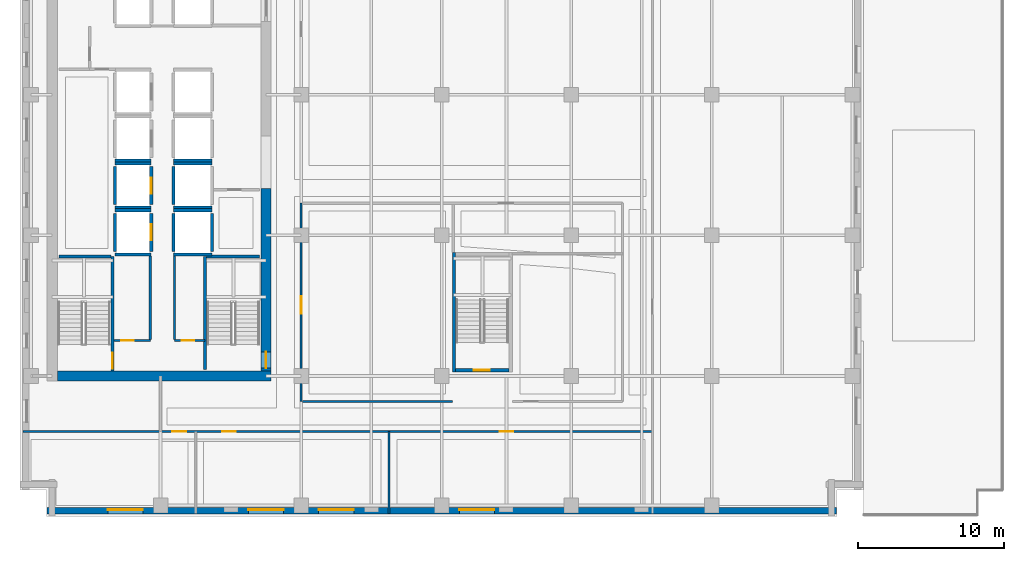
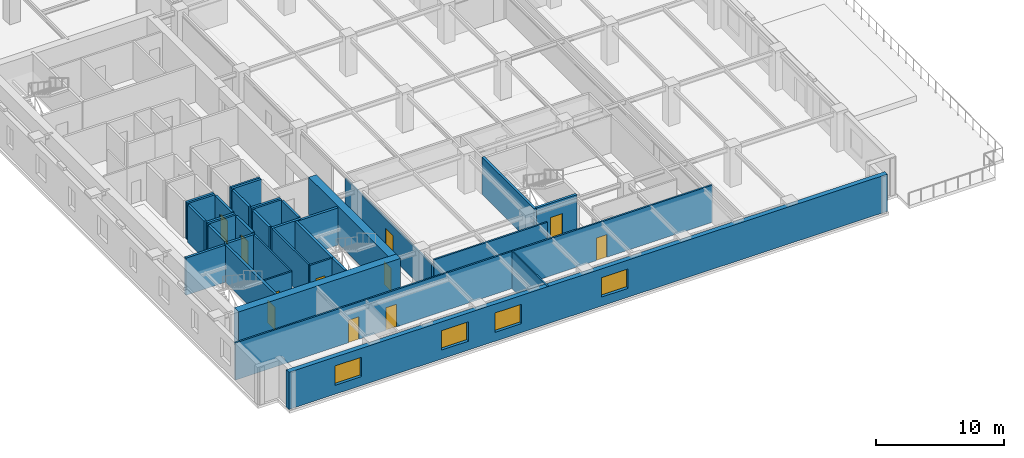
# One storey, part 4 of 12: 34 walls, 11 doors, 4 windows, 15 openings.
"""IFC4 building model written with IfcOpenShell, lengths in metres."""

from ifc_helpers import new_model, si_unit, direction, frame, frame_2d, origin, place, context, subcontext, project, spatial, rectangle, extrude, material, layer, layer_set, type_object, element, fill, save


model = new_model("IFC4")

# Units and contexts
model_context = context("Model", 3, precision=1e-05, world=origin(), true_north=direction((0.0, 1.0)))
body_context = subcontext(model_context, "Body", "Model", "MODEL_VIEW")
ifc_project = project(units=[si_unit("LENGTHUNIT", "METRE"), si_unit("AREAUNIT", "SQUARE_METRE"), si_unit("VOLUMEUNIT", "CUBIC_METRE"), si_unit("PLANEANGLEUNIT", "RADIAN"), si_unit("MASSUNIT", "GRAM", prefix="KILO")], contexts=[model_context])

# Site, building, storey
site_placement = place(None, origin())
site = spatial("IfcSite", under=ifc_project, at=site_placement, CompositionType="ELEMENT")
building_placement = place(site_placement, origin())
building = spatial("IfcBuilding", under=site, at=building_placement, Name="Norrvale University Quadrangle", CompositionType="ELEMENT")
storey_placement = place(building_placement, frame((0.0, 0.0, 101.39990234375)))
storey = spatial("IfcBuildingStorey", under=building, at=storey_placement, Name="L25", CompositionType="ELEMENT", Elevation=101.39990234375)

# Wall, openings, windows
ifc_material_1 = material(Name="Buff Norman Clay Brick Masonry", Category="masonry")
ifc_layer_1 = layer(ifc_material_1, 0.419921875, Name="Buff Norman Clay Brick Masonry")
ifc_layer_set_1 = layer_set([ifc_layer_1], Name="Buff Norman Clay Brick Masonry")
wall_type_1 = type_object("IfcWallType", Name="Wall Buff Brick 420", PredefinedType="SOLIDWALL", material=ifc_layer_set_1)
wall_1_placement = place(storey_placement, frame((1.840087890625, 0.389892578125, 0.0), z_axis=(0.0, 0.0, 1.0), x_axis=(1.0, 0.0, 0.0)))
wall_1 = element("IfcWall", 1, at=wall_1_placement, inside=storey, type_object=wall_type_1, Name="Exterior Brick Facade Wall L25-01.1", PredefinedType="SOLIDWALL", context=body_context, shape_type="SweptSolid", body=[
    extrude(rectangle(XDim=53.919921875, YDim=0.419921875, at=frame_2d((26.9599609375, 0.0))), origin(), (0.0, 0.0, 1.0), 3.5400390625),
])
opening_1_placement = place(wall_1_placement, frame((4.159912109375, 0.0, 0.85009765625)))
opening_1 = element("IfcOpeningElement", 2, at=opening_1_placement, cuts=wall_1, Name="Opening W02", PredefinedType="OPENING", context=body_context, shape_type="SweptSolid", body=[
    extrude(rectangle(XDim=2.39990234375, YDim=1.85009765625, at=frame_2d((1.199951171875, 0.925048828125))), frame((0.0, 0.221923828125, 0.0), z_axis=(0.0, -1.0, 0.0), x_axis=(1.0, 0.0, 0.0)), (0.0, 0.0, 1.0), 0.44384765625),
])
opening_2_placement = place(wall_1_placement, frame((13.760009765625, 0.0, 0.85009765625)))
opening_2 = element("IfcOpeningElement", 3, at=opening_2_placement, cuts=wall_1, Name="Opening W02", PredefinedType="OPENING", context=body_context, shape_type="SweptSolid", body=[
    extrude(rectangle(XDim=2.39990234375, YDim=1.85009765625, at=frame_2d((1.199951171875, 0.925048828125))), frame((0.0, 0.221923828125, 0.0), z_axis=(0.0, -1.0, 0.0), x_axis=(1.0, 0.0, 0.0)), (0.0, 0.0, 1.0), 0.44384765625),
])
opening_3_placement = place(wall_1_placement, frame((18.56005859375, 0.0, 0.85009765625)))
opening_3 = element("IfcOpeningElement", 4, at=opening_3_placement, cuts=wall_1, Name="Opening W02", PredefinedType="OPENING", context=body_context, shape_type="SweptSolid", body=[
    extrude(rectangle(XDim=2.39990234375, YDim=1.85009765625, at=frame_2d((1.199951171875, 0.925048828125))), frame((0.0, 0.221923828125, 0.0), z_axis=(0.0, -1.0, 0.0), x_axis=(1.0, 0.0, 0.0)), (0.0, 0.0, 1.0), 0.44384765625),
])
opening_4_placement = place(wall_1_placement, frame((28.159912109375, 0.0, 0.85009765625)))
opening_4 = element("IfcOpeningElement", 5, at=opening_4_placement, cuts=wall_1, Name="Opening W02", PredefinedType="OPENING", context=body_context, shape_type="SweptSolid", body=[
    extrude(rectangle(XDim=2.39990234375, YDim=1.85009765625, at=frame_2d((1.199951171875, 0.925048828125))), frame((0.0, 0.221923828125, 0.0), z_axis=(0.0, -1.0, 0.0), x_axis=(1.0, 0.0, 0.0)), (0.0, 0.0, 1.0), 0.44384765625),
])
ifc_material_2 = material(Name="Triple Low-E Argon Glazing", Category="glass")
window_type = type_object("IfcWindowType", Name="Window Academic 2400x2300", PartitioningType="TRIPLE_PANEL_VERTICAL", PredefinedType="WINDOW", material=ifc_material_2)
window_1_placement = place(opening_1_placement, origin())
window_1 = element("IfcWindow", 6, at=window_1_placement, inside=storey, type_object=window_type, Name="Window Academic 2400x2300 WIN-L25-E01-1-01", OverallHeight=1.85009765625, OverallWidth=2.39990234375, PartitioningType="TRIPLE_PANEL_VERTICAL", PredefinedType="WINDOW", context=body_context, shape_type="SweptSolid", body=[
    extrude(rectangle(XDim=2.39990234375, YDim=1.85009765625, at=frame_2d((1.199951171875, 0.925048828125))), frame((0.0, 0.110107421875, 0.0), z_axis=(0.0, -1.0, 0.0), x_axis=(1.0, 0.0, 0.0)), (0.0, 0.0, 1.0), 0.06005859375),
])
fill(opening_1, window_1)
window_2_placement = place(opening_2_placement, origin())
window_2 = element("IfcWindow", 7, at=window_2_placement, inside=storey, type_object=window_type, Name="Window Academic 2400x2300 WIN-L25-E01-1-02", OverallHeight=1.85009765625, OverallWidth=2.39990234375, PartitioningType="TRIPLE_PANEL_VERTICAL", PredefinedType="WINDOW", context=body_context, shape_type="SweptSolid", body=[
    extrude(rectangle(XDim=2.39990234375, YDim=1.85009765625, at=frame_2d((1.199951171875, 0.925048828125))), frame((0.0, 0.110107421875, 0.0), z_axis=(0.0, -1.0, 0.0), x_axis=(1.0, 0.0, 0.0)), (0.0, 0.0, 1.0), 0.06005859375),
])
fill(opening_2, window_2)
window_3_placement = place(opening_3_placement, origin())
window_3 = element("IfcWindow", 8, at=window_3_placement, inside=storey, type_object=window_type, Name="Window Academic 2400x2300 WIN-L25-E01-1-03", OverallHeight=1.85009765625, OverallWidth=2.39990234375, PartitioningType="TRIPLE_PANEL_VERTICAL", PredefinedType="WINDOW", context=body_context, shape_type="SweptSolid", body=[
    extrude(rectangle(XDim=2.39990234375, YDim=1.85009765625, at=frame_2d((1.199951171875, 0.925048828125))), frame((0.0, 0.110107421875, 0.0), z_axis=(0.0, -1.0, 0.0), x_axis=(1.0, 0.0, 0.0)), (0.0, 0.0, 1.0), 0.06005859375),
])
fill(opening_3, window_3)
window_4_placement = place(opening_4_placement, origin())
window_4 = element("IfcWindow", 9, at=window_4_placement, inside=storey, type_object=window_type, Name="Window Academic 2400x2300 WIN-L25-E01-1-04", OverallHeight=1.85009765625, OverallWidth=2.39990234375, PartitioningType="TRIPLE_PANEL_VERTICAL", PredefinedType="WINDOW", context=body_context, shape_type="SweptSolid", body=[
    extrude(rectangle(XDim=2.39990234375, YDim=1.85009765625, at=frame_2d((1.199951171875, 0.925048828125))), frame((0.0, 0.110107421875, 0.0), z_axis=(0.0, -1.0, 0.0), x_axis=(1.0, 0.0, 0.0)), (0.0, 0.0, 1.0), 0.06005859375),
])
fill(opening_4, window_4)

# Wall
ifc_material_3 = material(Name="Concrete C60/75", Category="concrete")
ifc_layer_2 = layer(ifc_material_3, 0.699951171875, Name="Concrete C60/75")
ifc_layer_set_2 = layer_set([ifc_layer_2], Name="Concrete C60/75")
wall_type_2 = type_object("IfcWallType", Name="Wall Core 700", PredefinedType="SHEAR", material=ifc_layer_set_2)
wall_2_placement = place(storey_placement, frame((2.550048828125, 9.60009765625, 0.0), z_axis=(0.0, 0.0, 1.0), x_axis=(1.0, 0.0, 0.0)))
element("IfcWall", 10, at=wall_2_placement, inside=storey, type_object=wall_type_2, Name="Tower Core Shear Wall L25-S", PredefinedType="SHEAR", context=body_context, shape_type="SweptSolid", body=[
    extrude(rectangle(XDim=14.599853515625, YDim=0.699951171875, at=frame_2d((7.2998046875, 0.0))), origin(), (0.0, 0.0, 1.0), 3.5400390625),
])

# Wall, opening, door
wall_3_placement = place(storey_placement, frame((16.800048828125, 9.949951171875, 0.0), z_axis=(0.0, 0.0, 1.0), x_axis=(0.0, 1.0, 0.0)))
wall_3 = element("IfcWall", 11, at=wall_3_placement, inside=storey, type_object=wall_type_2, Name="Tower Core Shear Wall L25-E1", PredefinedType="SHEAR", context=body_context, shape_type="SweptSolid", body=[
    extrude(rectangle(XDim=12.449951171875, YDim=0.699951171875, at=frame_2d((6.22509765625, 0.0))), origin(), (0.0, 0.0, 1.0), 3.5400390625),
])
opening_5_placement = place(wall_3_placement, frame((0.18994140625, 0.0, 0.0)))
opening_5 = element("IfcOpeningElement", 12, at=opening_5_placement, cuts=wall_3, Name="Opening D02", PredefinedType="OPENING", context=body_context, shape_type="SweptSolid", body=[
    extrude(rectangle(XDim=1.10009765625, YDim=2.199951171875, at=frame_2d((0.550048828125, 1.10009765625))), frame((0.0, 0.362060546875, 0.0), z_axis=(0.0, -1.0, 0.0), x_axis=(1.0, 0.0, 0.0)), (0.0, 0.0, 1.0), 0.723876953125),
])
ifc_material_4 = material(Name="Hollow Steel 350W Fire Door", Category="steel")
door_type_1 = type_object("IfcDoorType", Name="Door Stair Exit 1100x2200", OperationType="NOTDEFINED", PredefinedType="DOOR", material=ifc_material_4)
door_1_placement = place(opening_5_placement, origin())
door_1 = element("IfcDoor", 13, at=door_1_placement, inside=storey, type_object=door_type_1, Name="Door Stair Exit 1100x2200 DR-L25-ST03", OperationType="SINGLE_SWING_LEFT", OverallHeight=2.199951171875, OverallWidth=1.10009765625, PredefinedType="DOOR", context=body_context, shape_type="SweptSolid", body=[
    extrude(rectangle(XDim=1.10009765625, YDim=2.199951171875, at=frame_2d((0.550048828125, 1.10009765625))), frame((0.0, 0.02490234375, 0.0), z_axis=(0.0, -1.0, 0.0), x_axis=(1.0, 0.0, 0.0)), (0.0, 0.0, 1.0), 0.050048828125),
])
fill(opening_5, door_1)

# Wall
ifc_material_5 = material(Name="Standard Academic Gypsum Partition")
ifc_layer_3 = layer(ifc_material_5, 0.125, Name="Standard Academic Gypsum Partition")
ifc_layer_set_3 = layer_set([ifc_layer_3], Name="Standard Academic Gypsum Partition")
wall_type_3 = type_object("IfcWallType", Name="Wall Gypsum Academic 125", PredefinedType="PARTITIONING", material=ifc_layer_set_3)
wall_4_placement = place(storey_placement, frame((25.199951171875, 0.219970703125, 0.0), z_axis=(0.0, 0.0, 1.0), x_axis=(0.0, 1.0, 0.0)))
element("IfcWall", 14, at=wall_4_placement, inside=storey, type_object=wall_type_3, Name="Interior Partition WL-L25-SP02", PredefinedType="PARTITIONING", context=body_context, shape_type="SweptSolid", body=[
    extrude(rectangle(XDim=5.580078125, YDim=0.125, at=frame_2d((2.7900390625, 0.0))), origin(), (0.0, 0.0, 1.0), 3.5400390625),
])

# Wall, opening, door
ifc_material_6 = material(Name="Fire-Rated Gypsum Stud Partition")
ifc_layer_4 = layer(ifc_material_6, 0.14990234375, Name="Fire-Rated Gypsum Stud Partition")
ifc_layer_set_4 = layer_set([ifc_layer_4], Name="Fire-Rated Gypsum Stud Partition")
wall_type_4 = type_object("IfcWallType", Name="Wall Gypsum Corridor 150", PredefinedType="PARTITIONING", material=ifc_layer_set_4)
wall_5_placement = place(storey_placement, frame((6.419921875, 12.02001953125, 0.0), z_axis=(0.0, 0.0, 1.0), x_axis=(1.0, 0.0, 0.0)))
wall_5 = element("IfcWall", 15, at=wall_5_placement, inside=storey, type_object=wall_type_4, Name="Interior Partition WL-L25-SC-NL", PredefinedType="PARTITIONING", context=body_context, shape_type="SweptSolid", body=[
    extrude(rectangle(XDim=2.47998046875, YDim=0.14990234375, at=frame_2d((1.239990234375, 0.0))), origin(), (0.0, 0.0, 1.0), 3.5400390625),
])
opening_6_placement = place(wall_5_placement, frame((0.5, 0.0, 0.0)))
opening_6 = element("IfcOpeningElement", 16, at=opening_6_placement, cuts=wall_5, Name="Opening D10", PredefinedType="OPENING", context=body_context, shape_type="SweptSolid", body=[
    extrude(rectangle(XDim=0.85009765625, YDim=2.10009765625, at=frame_2d((0.425048828125, 1.050048828125))), frame((0.0, 0.0869140625, 0.0), z_axis=(0.0, -1.0, 0.0), x_axis=(1.0, 0.0, 0.0)), (0.0, 0.0, 1.0), 0.173828125),
])
ifc_material_7 = material(Name="Hollow Steel 350W Riser Fire Door", Category="steel")
door_type_2 = type_object("IfcDoorType", Name="Door Riser 850x2100", OperationType="NOTDEFINED", PredefinedType="DOOR", material=ifc_material_7)
door_2_placement = place(opening_6_placement, origin())
door_2 = element("IfcDoor", 17, at=door_2_placement, inside=storey, type_object=door_type_2, Name="Door Riser 850x2100 DR-L25-ELEC", OperationType="SINGLE_SWING_LEFT", OverallHeight=2.10009765625, OverallWidth=0.85009765625, PredefinedType="DOOR", context=body_context, shape_type="SweptSolid", body=[
    extrude(rectangle(XDim=0.85009765625, YDim=2.10009765625, at=frame_2d((0.425048828125, 1.050048828125))), frame((0.0, 0.02490234375, 0.0), z_axis=(0.0, -1.0, 0.0), x_axis=(1.0, 0.0, 0.0)), (0.0, 0.0, 1.0), 0.050048828125),
])
fill(opening_6, door_2)

wall_6_placement = place(storey_placement, frame((10.550048828125, 12.02001953125, 0.0), z_axis=(0.0, 0.0, 1.0), x_axis=(1.0, 0.0, 0.0)))
wall_6 = element("IfcWall", 18, at=wall_6_placement, inside=storey, type_object=wall_type_4, Name="Interior Partition WL-L25-SC-NR", PredefinedType="PARTITIONING", context=body_context, shape_type="SweptSolid", body=[
    extrude(rectangle(XDim=2.079833984375, YDim=0.14990234375, at=frame_2d((1.0400390625, 0.0))), origin(), (0.0, 0.0, 1.0), 3.5400390625),
])
opening_7_placement = place(wall_6_placement, frame((0.5, 0.0, 0.0)))
opening_7 = element("IfcOpeningElement", 19, at=opening_7_placement, cuts=wall_6, Name="Opening D10", PredefinedType="OPENING", context=body_context, shape_type="SweptSolid", body=[
    extrude(rectangle(XDim=0.85009765625, YDim=2.10009765625, at=frame_2d((0.425048828125, 1.050048828125))), frame((0.0, 0.0869140625, 0.0), z_axis=(0.0, -1.0, 0.0), x_axis=(1.0, 0.0, 0.0)), (0.0, 0.0, 1.0), 0.173828125),
])
door_3_placement = place(opening_7_placement, origin())
door_3 = element("IfcDoor", 20, at=door_3_placement, inside=storey, type_object=door_type_2, Name="Door Riser 850x2100 DR-L25-IDF", OperationType="SINGLE_SWING_RIGHT", OverallHeight=2.10009765625, OverallWidth=0.85009765625, PredefinedType="DOOR", context=body_context, shape_type="SweptSolid", body=[
    extrude(rectangle(XDim=0.85009765625, YDim=2.10009765625, at=frame_2d((0.425048828125, 1.050048828125))), frame((0.0, 0.02490234375, 0.0), z_axis=(0.0, -1.0, 0.0), x_axis=(1.0, 0.0, 0.0)), (0.0, 0.0, 1.0), 0.050048828125),
])
fill(opening_7, door_3)

# Walls
for number, where, z_axis, x_axis, name in (
    (21, (8.89990234375, 12.094970703125, 0.0), (0.0, 0.0, 1.0), (0.0, 1.0, 0.0), "Interior Partition WL-L25-SC-WL"),
    (22, (10.550048828125, 12.094970703125, 0.0), (0.0, 0.0, 1.0), (0.0, 1.0, 0.0), "Interior Partition WL-L25-SC-WR"),
):
    element("IfcWall", number, at=place(storey_placement, frame(where, z_axis=z_axis, x_axis=x_axis)), inside=storey, type_object=wall_type_4, Name=name, PredefinedType="PARTITIONING", context=body_context, shape_type="SweptSolid", body=[
        extrude(rectangle(XDim=5.679931640625, YDim=0.14990234375, at=frame_2d((2.83984375, 0.0))), origin(), (0.0, 0.0, 1.0), 3.5400390625),
    ])

# Wall, openings, doors
wall_7_placement = place(storey_placement, frame((0.219970703125, 5.800048828125, 0.0), z_axis=(0.0, 0.0, 1.0), x_axis=(1.0, 0.0, 0.0)))
wall_7 = element("IfcWall", 23, at=wall_7_placement, inside=storey, type_object=wall_type_4, Name="Interior Partition WL-L25-SCW", PredefinedType="PARTITIONING", context=body_context, shape_type="SweptSolid", body=[
    extrude(rectangle(XDim=42.97998046875, YDim=0.14990234375, at=frame_2d((21.489990234375, 0.0))), origin(), (0.0, 0.0, 1.0), 3.5400390625),
])
opening_8_placement = place(wall_7_placement, frame((10.179931640625, 0.0, 0.0)))
opening_8 = element("IfcOpeningElement", 24, at=opening_8_placement, cuts=wall_7, Name="Opening D07", PredefinedType="OPENING", context=body_context, shape_type="SweptSolid", body=[
    extrude(rectangle(XDim=0.949951171875, YDim=2.14990234375, at=frame_2d((0.47509765625, 1.074951171875))), frame((0.0, 0.0869140625, 0.0), z_axis=(0.0, -1.0, 0.0), x_axis=(1.0, 0.0, 0.0)), (0.0, 0.0, 1.0), 0.173828125),
])
opening_9_placement = place(wall_7_placement, frame((13.580078125, 0.0, 0.0)))
opening_9 = element("IfcOpeningElement", 25, at=opening_9_placement, cuts=wall_7, Name="Opening D07", PredefinedType="OPENING", context=body_context, shape_type="SweptSolid", body=[
    extrude(rectangle(XDim=0.949951171875, YDim=2.14990234375, at=frame_2d((0.47509765625, 1.074951171875))), frame((0.0, 0.0869140625, 0.0), z_axis=(0.0, -1.0, 0.0), x_axis=(1.0, 0.0, 0.0)), (0.0, 0.0, 1.0), 0.173828125),
])
opening_10_placement = place(wall_7_placement, frame((32.530029296875, 0.0, 0.0)))
opening_10 = element("IfcOpeningElement", 26, at=opening_10_placement, cuts=wall_7, Name="Opening D07", PredefinedType="OPENING", context=body_context, shape_type="SweptSolid", body=[
    extrude(rectangle(XDim=0.949951171875, YDim=2.14990234375, at=frame_2d((0.47509765625, 1.074951171875))), frame((0.0, 0.0869140625, 0.0), z_axis=(0.0, -1.0, 0.0), x_axis=(1.0, 0.0, 0.0)), (0.0, 0.0, 1.0), 0.173828125),
])
ifc_material_8 = material(Name="Solid-Core Maple Door", Category="wood")
door_type_3 = type_object("IfcDoorType", Name="Door Office 950x2150", OperationType="NOTDEFINED", PredefinedType="DOOR", material=ifc_material_8)
door_4_placement = place(opening_8_placement, origin())
door_4 = element("IfcDoor", 27, at=door_4_placement, inside=storey, type_object=door_type_3, Name="Door Office 950x2150 DR-L25-S01", OperationType="SINGLE_SWING_LEFT", OverallHeight=2.14990234375, OverallWidth=0.949951171875, PredefinedType="DOOR", context=body_context, shape_type="SweptSolid", body=[
    extrude(rectangle(XDim=0.949951171875, YDim=2.14990234375, at=frame_2d((0.47509765625, 1.074951171875))), frame((0.0, 0.02490234375, 0.0), z_axis=(0.0, -1.0, 0.0), x_axis=(1.0, 0.0, 0.0)), (0.0, 0.0, 1.0), 0.050048828125),
])
fill(opening_8, door_4)
door_5_placement = place(opening_9_placement, origin())
door_5 = element("IfcDoor", 28, at=door_5_placement, inside=storey, type_object=door_type_3, Name="Door Office 950x2150 DR-L25-S02", OperationType="SINGLE_SWING_RIGHT", OverallHeight=2.14990234375, OverallWidth=0.949951171875, PredefinedType="DOOR", context=body_context, shape_type="SweptSolid", body=[
    extrude(rectangle(XDim=0.949951171875, YDim=2.14990234375, at=frame_2d((0.47509765625, 1.074951171875))), frame((0.0, 0.02490234375, 0.0), z_axis=(0.0, -1.0, 0.0), x_axis=(1.0, 0.0, 0.0)), (0.0, 0.0, 1.0), 0.050048828125),
])
fill(opening_9, door_5)
door_6_placement = place(opening_10_placement, origin())
door_6 = element("IfcDoor", 29, at=door_6_placement, inside=storey, type_object=door_type_3, Name="Door Office 950x2150 DR-L25-S03", OperationType="SINGLE_SWING_LEFT", OverallHeight=2.14990234375, OverallWidth=0.949951171875, PredefinedType="DOOR", context=body_context, shape_type="SweptSolid", body=[
    extrude(rectangle(XDim=0.949951171875, YDim=2.14990234375, at=frame_2d((0.47509765625, 1.074951171875))), frame((0.0, 0.02490234375, 0.0), z_axis=(0.0, -1.0, 0.0), x_axis=(1.0, 0.0, 0.0)), (0.0, 0.0, 1.0), 0.050048828125),
])
fill(opening_10, door_6)

# Wall, opening, door
wall_8_placement = place(storey_placement, frame((19.199951171875, 7.85009765625, 0.0), z_axis=(0.0, 0.0, 1.0), x_axis=(0.0, 1.0, 0.0)))
wall_8 = element("IfcWall", 30, at=wall_8_placement, inside=storey, type_object=wall_type_4, Name="Interior Partition WL-L25-ISLW", PredefinedType="PARTITIONING", context=body_context, shape_type="SweptSolid", body=[
    extrude(rectangle(XDim=13.5498046875, YDim=0.14990234375, at=frame_2d((6.77490234375, 0.0))), origin(), (0.0, 0.0, 1.0), 3.123046875),
])
opening_11_placement = place(wall_8_placement, frame((6.0, 0.0, 0.0)))
opening_11 = element("IfcOpeningElement", 31, at=opening_11_placement, cuts=wall_8, Name="Opening D05", PredefinedType="OPENING", context=body_context, shape_type="SweptSolid", body=[
    extrude(rectangle(XDim=1.199951171875, YDim=2.199951171875, at=frame_2d((0.60009765625, 1.10009765625))), frame((0.0, 0.0869140625, 0.0), z_axis=(0.0, -1.0, 0.0), x_axis=(1.0, 0.0, 0.0)), (0.0, 0.0, 1.0), 0.173828125),
])
ifc_material_9 = material(Name="Acoustic Oak Classroom Door", Category="wood")
door_type_4 = type_object("IfcDoorType", Name="Door Classroom 1200x2200", OperationType="NOTDEFINED", PredefinedType="DOOR", material=ifc_material_9)
door_7_placement = place(opening_11_placement, origin())
door_7 = element("IfcDoor", 32, at=door_7_placement, inside=storey, type_object=door_type_4, Name="Door Classroom 1200x2200 DR-L25-IW1", OperationType="SINGLE_SWING_LEFT", OverallHeight=2.199951171875, OverallWidth=1.199951171875, PredefinedType="DOOR", context=body_context, shape_type="SweptSolid", body=[
    extrude(rectangle(XDim=1.199951171875, YDim=2.199951171875, at=frame_2d((0.60009765625, 1.10009765625))), frame((0.0, 0.02490234375, 0.0), z_axis=(0.0, -1.0, 0.0), x_axis=(1.0, 0.0, 0.0)), (0.0, 0.0, 1.0), 0.050048828125),
])
fill(opening_11, door_7)

# Wall
wall_9_placement = place(storey_placement, frame((19.280029296875, 7.85009765625, 0.0), z_axis=(0.0, 0.0, 1.0), x_axis=(1.0, 0.0, 0.0)))
element("IfcWall", 33, at=wall_9_placement, inside=storey, type_object=wall_type_4, Name="Interior Partition WL-L25-ISLS1", PredefinedType="PARTITIONING", context=body_context, shape_type="SweptSolid", body=[
    extrude(rectangle(XDim=10.244873046875, YDim=0.14990234375, at=frame_2d((5.12255859375, 0.0))), origin(), (0.0, 0.0, 1.0), 3.5400390625),
])

# Wall, opening, door
ifc_material_10 = material(Name="Concrete Blockwork 20 MPa Fire Shaft", Category="masonry")
ifc_layer_5 = layer(ifc_material_10, 0.219970703125, Name="Concrete Blockwork 20 MPa Fire Shaft")
ifc_layer_set_5 = layer_set([ifc_layer_5], Name="Concrete Blockwork 20 MPa Fire Shaft")
wall_type_5 = type_object("IfcWallType", Name="Wall Shaft 220", PredefinedType="SOLIDWALL", material=ifc_layer_set_5)
wall_10_placement = place(storey_placement, frame((6.31005859375, 9.949951171875, 0.0), z_axis=(0.0, 0.0, 1.0), x_axis=(0.0, 1.0, 0.0)))
wall_10 = element("IfcWall", 34, at=wall_10_placement, inside=storey, type_object=wall_type_5, Name="Stair ST-01 East Shaft Wall L25", PredefinedType="SOLIDWALL", context=body_context, shape_type="SweptSolid", body=[
    extrude(rectangle(XDim=7.81005859375, YDim=0.219970703125, at=frame_2d((3.905029296875, 0.0))), origin(), (0.0, 0.0, 1.0), 3.5400390625),
])
opening_12_placement = place(wall_10_placement, frame((0.139892578125, 0.0, 0.0)))
opening_12 = element("IfcOpeningElement", 35, at=opening_12_placement, cuts=wall_10, Name="Opening D02", PredefinedType="OPENING", context=body_context, shape_type="SweptSolid", body=[
    extrude(rectangle(XDim=1.10009765625, YDim=2.199951171875, at=frame_2d((0.550048828125, 1.10009765625))), frame((0.0, 0.1220703125, 0.0), z_axis=(0.0, -1.0, 0.0), x_axis=(1.0, 0.0, 0.0)), (0.0, 0.0, 1.0), 0.243896484375),
])
door_8_placement = place(opening_12_placement, origin())
door_8 = element("IfcDoor", 36, at=door_8_placement, inside=storey, type_object=door_type_1, Name="Door Stair Exit 1100x2200 DR-L25-ST01", OperationType="SINGLE_SWING_LEFT", OverallHeight=2.199951171875, OverallWidth=1.10009765625, PredefinedType="DOOR", context=body_context, shape_type="SweptSolid", body=[
    extrude(rectangle(XDim=1.10009765625, YDim=2.199951171875, at=frame_2d((0.550048828125, 1.10009765625))), frame((0.0, 0.02490234375, 0.0), z_axis=(0.0, -1.0, 0.0), x_axis=(1.0, 0.0, 0.0)), (0.0, 0.0, 1.0), 0.050048828125),
])
fill(opening_12, door_8)

# Walls
wall_11_placement = place(storey_placement, frame((2.64990234375, 17.760009765625, 0.0), z_axis=(0.0, 0.0, 1.0), x_axis=(1.0, 0.0, 0.0)))
element("IfcWall", 37, at=wall_11_placement, inside=storey, type_object=wall_type_5, Name="Stair ST-01 North Shaft Wall L25", PredefinedType="SOLIDWALL", context=body_context, shape_type="SweptSolid", body=[
    extrude(rectangle(XDim=3.550048828125, YDim=0.219970703125, at=frame_2d((1.77490234375, 0.0))), origin(), (0.0, 0.0, 1.0), 3.5400390625),
])
wall_12_placement = place(storey_placement, frame((12.639892578125, 10.050048828125, 0.0), z_axis=(0.0, 0.0, 1.0), x_axis=(0.0, 1.0, 0.0)))
element("IfcWall", 38, at=wall_12_placement, inside=storey, type_object=wall_type_5, Name="Stair ST-03 West Shaft Wall L25", PredefinedType="SOLIDWALL", context=body_context, shape_type="SweptSolid", body=[
    extrude(rectangle(XDim=7.7099609375, YDim=0.219970703125, at=frame_2d((3.85498046875, 0.0))), origin(), (0.0, 0.0, 1.0), 3.5400390625),
])
wall_13_placement = place(storey_placement, frame((12.75, 17.760009765625, 0.0), z_axis=(0.0, 0.0, 1.0), x_axis=(1.0, 0.0, 0.0)))
element("IfcWall", 39, at=wall_13_placement, inside=storey, type_object=wall_type_5, Name="Stair ST-03 North Shaft Wall L25", PredefinedType="SOLIDWALL", context=body_context, shape_type="SweptSolid", body=[
    extrude(rectangle(XDim=3.60009765625, YDim=0.219970703125, at=frame_2d((1.800048828125, 0.0))), origin(), (0.0, 0.0, 1.0), 3.5400390625),
])

# Wall, opening, door
wall_14_placement = place(storey_placement, frame((29.75, 9.989990234375, 0.0), z_axis=(0.0, 0.0, 1.0), x_axis=(1.0, 0.0, 0.0)))
wall_14 = element("IfcWall", 40, at=wall_14_placement, inside=storey, type_object=wall_type_5, Name="Stair ST-04 South Shaft Wall L25", PredefinedType="SOLIDWALL", context=body_context, shape_type="SweptSolid", body=[
    extrude(rectangle(XDim=3.64990234375, YDim=0.219970703125, at=frame_2d((1.824951171875, 0.0))), origin(), (0.0, 0.0, 1.0), 3.5400390625),
])
opening_13_placement = place(wall_14_placement, frame((1.239990234375, 0.0, 0.0)))
opening_13 = element("IfcOpeningElement", 41, at=opening_13_placement, cuts=wall_14, Name="Opening D02", PredefinedType="OPENING", context=body_context, shape_type="SweptSolid", body=[
    extrude(rectangle(XDim=1.10009765625, YDim=2.199951171875, at=frame_2d((0.550048828125, 1.10009765625))), frame((0.0, 0.1220703125, 0.0), z_axis=(0.0, -1.0, 0.0), x_axis=(1.0, 0.0, 0.0)), (0.0, 0.0, 1.0), 0.243896484375),
])
door_9_placement = place(opening_13_placement, origin())
door_9 = element("IfcDoor", 42, at=door_9_placement, inside=storey, type_object=door_type_1, Name="Door Stair Exit 1100x2200 DR-L25-ST04", OperationType="SINGLE_SWING_LEFT", OverallHeight=2.199951171875, OverallWidth=1.10009765625, PredefinedType="DOOR", context=body_context, shape_type="SweptSolid", body=[
    extrude(rectangle(XDim=1.10009765625, YDim=2.199951171875, at=frame_2d((0.550048828125, 1.10009765625))), frame((0.0, 0.02490234375, 0.0), z_axis=(0.0, -1.0, 0.0), x_axis=(1.0, 0.0, 0.0)), (0.0, 0.0, 1.0), 0.050048828125),
])
fill(opening_13, door_9)

# Walls
wall_15_placement = place(storey_placement, frame((29.639892578125, 9.8798828125, 0.0), z_axis=(0.0, 0.0, 1.0), x_axis=(0.0, 1.0, 0.0)))
element("IfcWall", 43, at=wall_15_placement, inside=storey, type_object=wall_type_5, Name="Stair ST-04 West Shaft Wall L25", PredefinedType="SOLIDWALL", context=body_context, shape_type="SweptSolid", body=[
    extrude(rectangle(XDim=8.14013671875, YDim=0.219970703125, at=frame_2d((4.070068359375, 0.0))), origin(), (0.0, 0.0, 1.0), 3.5400390625),
])
wall_16_placement = place(storey_placement, frame((6.489990234375, 18.110107421875, 0.0), z_axis=(0.0, 0.0, 1.0), x_axis=(0.0, 1.0, 0.0)))
element("IfcWall", 44, at=wall_16_placement, inside=storey, type_object=wall_type_5, Name="Hoistway PL-01 West Wall L25", PredefinedType="SOLIDWALL", context=body_context, shape_type="SweptSolid", body=[
    extrude(rectangle(XDim=2.579833984375, YDim=0.219970703125, at=frame_2d((1.2900390625, 0.0))), origin(), (0.0, 0.0, 1.0), 3.5400390625),
])

# Wall, opening, door
wall_17_placement = place(storey_placement, frame((8.9599609375, 18.110107421875, 0.0), z_axis=(0.0, 0.0, 1.0), x_axis=(0.0, 1.0, 0.0)))
wall_17 = element("IfcWall", 45, at=wall_17_placement, inside=storey, type_object=wall_type_5, Name="Hoistway PL-01 East Wall L25", PredefinedType="SOLIDWALL", context=body_context, shape_type="SweptSolid", body=[
    extrude(rectangle(XDim=2.579833984375, YDim=0.219970703125, at=frame_2d((1.2900390625, 0.0))), origin(), (0.0, 0.0, 1.0), 3.5400390625),
])
opening_14_placement = place(wall_17_placement, frame((0.739990234375, 0.0, 0.0)))
opening_14 = element("IfcOpeningElement", 46, at=opening_14_placement, cuts=wall_17, Name="Opening LD1", PredefinedType="OPENING", context=body_context, shape_type="SweptSolid", body=[
    extrude(rectangle(XDim=1.10009765625, YDim=2.199951171875, at=frame_2d((0.550048828125, 1.10009765625))), frame((0.0, 0.1220703125, 0.0), z_axis=(0.0, -1.0, 0.0), x_axis=(1.0, 0.0, 0.0)), (0.0, 0.0, 1.0), 0.243896484375),
])
ifc_material_11 = material(Name="Stainless Steel 316L Lift Landing Door", Category="steel")
door_type_5 = type_object("IfcDoorType", Name="Door Lift Landing 1100x2200", OperationType="DOUBLE_DOOR_SLIDING", PredefinedType="DOOR", material=ifc_material_11)
door_10_placement = place(opening_14_placement, origin())
door_10 = element("IfcDoor", 47, at=door_10_placement, inside=storey, type_object=door_type_5, Name="Elevator Landing Door DR-L25-PL-01", OperationType="DOUBLE_DOOR_SLIDING", OverallHeight=2.199951171875, OverallWidth=1.10009765625, PredefinedType="DOOR", context=body_context, shape_type="SweptSolid", body=[
    extrude(rectangle(XDim=1.10009765625, YDim=2.199951171875, at=frame_2d((0.550048828125, 1.10009765625))), frame((0.0, 0.02490234375, 0.0), z_axis=(0.0, -1.0, 0.0), x_axis=(1.0, 0.0, 0.0)), (0.0, 0.0, 1.0), 0.050048828125),
])
fill(opening_14, door_10)

# Walls
for number, where, z_axis, x_axis, name in (
    (48, (6.489990234375, 17.889892578125, 0.0), (0.0, 0.0, 1.0), (1.0, 0.0, 0.0), "Hoistway PL-01 South Wall L25"),
    (49, (6.489990234375, 20.909912109375, 0.0), (0.0, 0.0, 1.0), (1.0, 0.0, 0.0), "Hoistway PL-01 North Wall L25"),
):
    element("IfcWall", number, at=place(storey_placement, frame(where, z_axis=z_axis, x_axis=x_axis)), inside=storey, type_object=wall_type_5, Name=name, PredefinedType="SOLIDWALL", context=body_context, shape_type="SweptSolid", body=[
        extrude(rectangle(XDim=2.469970703125, YDim=0.219970703125, at=frame_2d((1.23486328125, 0.0))), origin(), (0.0, 0.0, 1.0), 3.5400390625),
    ])
wall_18_placement = place(storey_placement, frame((6.489990234375, 21.31005859375, 0.0), z_axis=(0.0, 0.0, 1.0), x_axis=(0.0, 1.0, 0.0)))
element("IfcWall", 50, at=wall_18_placement, inside=storey, type_object=wall_type_5, Name="Hoistway PL-02 West Wall L25", PredefinedType="SOLIDWALL", context=body_context, shape_type="SweptSolid", body=[
    extrude(rectangle(XDim=2.579833984375, YDim=0.219970703125, at=frame_2d((1.2900390625, 0.0))), origin(), (0.0, 0.0, 1.0), 3.5400390625),
])

# Wall, opening, door
wall_19_placement = place(storey_placement, frame((8.9599609375, 21.31005859375, 0.0), z_axis=(0.0, 0.0, 1.0), x_axis=(0.0, 1.0, 0.0)))
wall_19 = element("IfcWall", 51, at=wall_19_placement, inside=storey, type_object=wall_type_5, Name="Hoistway PL-02 East Wall L25", PredefinedType="SOLIDWALL", context=body_context, shape_type="SweptSolid", body=[
    extrude(rectangle(XDim=2.579833984375, YDim=0.219970703125, at=frame_2d((1.2900390625, 0.0))), origin(), (0.0, 0.0, 1.0), 3.5400390625),
])
opening_15_placement = place(wall_19_placement, frame((0.739990234375, 0.0, 0.0)))
opening_15 = element("IfcOpeningElement", 52, at=opening_15_placement, cuts=wall_19, Name="Opening LD1", PredefinedType="OPENING", context=body_context, shape_type="SweptSolid", body=[
    extrude(rectangle(XDim=1.10009765625, YDim=2.199951171875, at=frame_2d((0.550048828125, 1.10009765625))), frame((0.0, 0.1220703125, 0.0), z_axis=(0.0, -1.0, 0.0), x_axis=(1.0, 0.0, 0.0)), (0.0, 0.0, 1.0), 0.243896484375),
])
door_11_placement = place(opening_15_placement, origin())
door_11 = element("IfcDoor", 53, at=door_11_placement, inside=storey, type_object=door_type_5, Name="Elevator Landing Door DR-L25-PL-02", OperationType="DOUBLE_DOOR_SLIDING", OverallHeight=2.199951171875, OverallWidth=1.10009765625, PredefinedType="DOOR", context=body_context, shape_type="SweptSolid", body=[
    extrude(rectangle(XDim=1.10009765625, YDim=2.199951171875, at=frame_2d((0.550048828125, 1.10009765625))), frame((0.0, 0.02490234375, 0.0), z_axis=(0.0, -1.0, 0.0), x_axis=(1.0, 0.0, 0.0)), (0.0, 0.0, 1.0), 0.050048828125),
])
fill(opening_15, door_11)

# Walls
for number, where, z_axis, x_axis, name in (
    (54, (6.489990234375, 21.090087890625, 0.0), (0.0, 0.0, 1.0), (1.0, 0.0, 0.0), "Hoistway PL-02 South Wall L25"),
    (55, (6.489990234375, 24.110107421875, 0.0), (0.0, 0.0, 1.0), (1.0, 0.0, 0.0), "Hoistway PL-02 North Wall L25"),
    (56, (6.489990234375, 24.2900390625, 0.0), (0.0, 0.0, 1.0), (1.0, 0.0, 0.0), "Hoistway PL-03 South Wall L25"),
):
    element("IfcWall", number, at=place(storey_placement, frame(where, z_axis=z_axis, x_axis=x_axis)), inside=storey, type_object=wall_type_5, Name=name, PredefinedType="SOLIDWALL", context=body_context, shape_type="SweptSolid", body=[
        extrude(rectangle(XDim=2.469970703125, YDim=0.219970703125, at=frame_2d((1.23486328125, 0.0))), origin(), (0.0, 0.0, 1.0), 3.5400390625),
    ])
for number, where, z_axis, x_axis, name in (
    (57, (10.489990234375, 18.110107421875, 0.0), (0.0, 0.0, 1.0), (0.0, 1.0, 0.0), "Hoistway PL-05 West Wall L25"),
    (58, (13.110107421875, 18.110107421875, 0.0), (0.0, 0.0, 1.0), (0.0, 1.0, 0.0), "Hoistway PL-05 East Wall L25"),
):
    element("IfcWall", number, at=place(storey_placement, frame(where, z_axis=z_axis, x_axis=x_axis)), inside=storey, type_object=wall_type_5, Name=name, PredefinedType="SOLIDWALL", context=body_context, shape_type="SweptSolid", body=[
        extrude(rectangle(XDim=2.579833984375, YDim=0.219970703125, at=frame_2d((1.2900390625, 0.0))), origin(), (0.0, 0.0, 1.0), 3.5400390625),
    ])
for number, where, z_axis, x_axis, name in (
    (59, (10.489990234375, 17.889892578125, 0.0), (0.0, 0.0, 1.0), (1.0, 0.0, 0.0), "Hoistway PL-05 South Wall L25"),
    (60, (10.489990234375, 20.909912109375, 0.0), (0.0, 0.0, 1.0), (1.0, 0.0, 0.0), "Hoistway PL-05 North Wall L25"),
):
    element("IfcWall", number, at=place(storey_placement, frame(where, z_axis=z_axis, x_axis=x_axis)), inside=storey, type_object=wall_type_5, Name=name, PredefinedType="SOLIDWALL", context=body_context, shape_type="SweptSolid", body=[
        extrude(rectangle(XDim=2.6201171875, YDim=0.219970703125, at=frame_2d((1.31005859375, 0.0))), origin(), (0.0, 0.0, 1.0), 3.5400390625),
    ])
wall_20_placement = place(storey_placement, frame((10.489990234375, 21.31005859375, 0.0), z_axis=(0.0, 0.0, 1.0), x_axis=(0.0, 1.0, 0.0)))
element("IfcWall", 61, at=wall_20_placement, inside=storey, type_object=wall_type_5, Name="Hoistway PL-06 West Wall L25", PredefinedType="SOLIDWALL", context=body_context, shape_type="SweptSolid", body=[
    extrude(rectangle(XDim=2.579833984375, YDim=0.219970703125, at=frame_2d((1.2900390625, 0.0))), origin(), (0.0, 0.0, 1.0), 3.5400390625),
])
for number, where, z_axis, x_axis, name in (
    (62, (10.489990234375, 21.090087890625, 0.0), (0.0, 0.0, 1.0), (1.0, 0.0, 0.0), "Hoistway PL-06 South Wall L25"),
    (63, (10.489990234375, 24.110107421875, 0.0), (0.0, 0.0, 1.0), (1.0, 0.0, 0.0), "Hoistway PL-06 North Wall L25"),
    (64, (10.489990234375, 24.2900390625, 0.0), (0.0, 0.0, 1.0), (1.0, 0.0, 0.0), "Hoistway PL-07 South Wall L25"),
):
    element("IfcWall", number, at=place(storey_placement, frame(where, z_axis=z_axis, x_axis=x_axis)), inside=storey, type_object=wall_type_5, Name=name, PredefinedType="SOLIDWALL", context=body_context, shape_type="SweptSolid", body=[
        extrude(rectangle(XDim=2.6201171875, YDim=0.219970703125, at=frame_2d((1.31005859375, 0.0))), origin(), (0.0, 0.0, 1.0), 3.5400390625),
    ])

save(model, "model.ifc")
